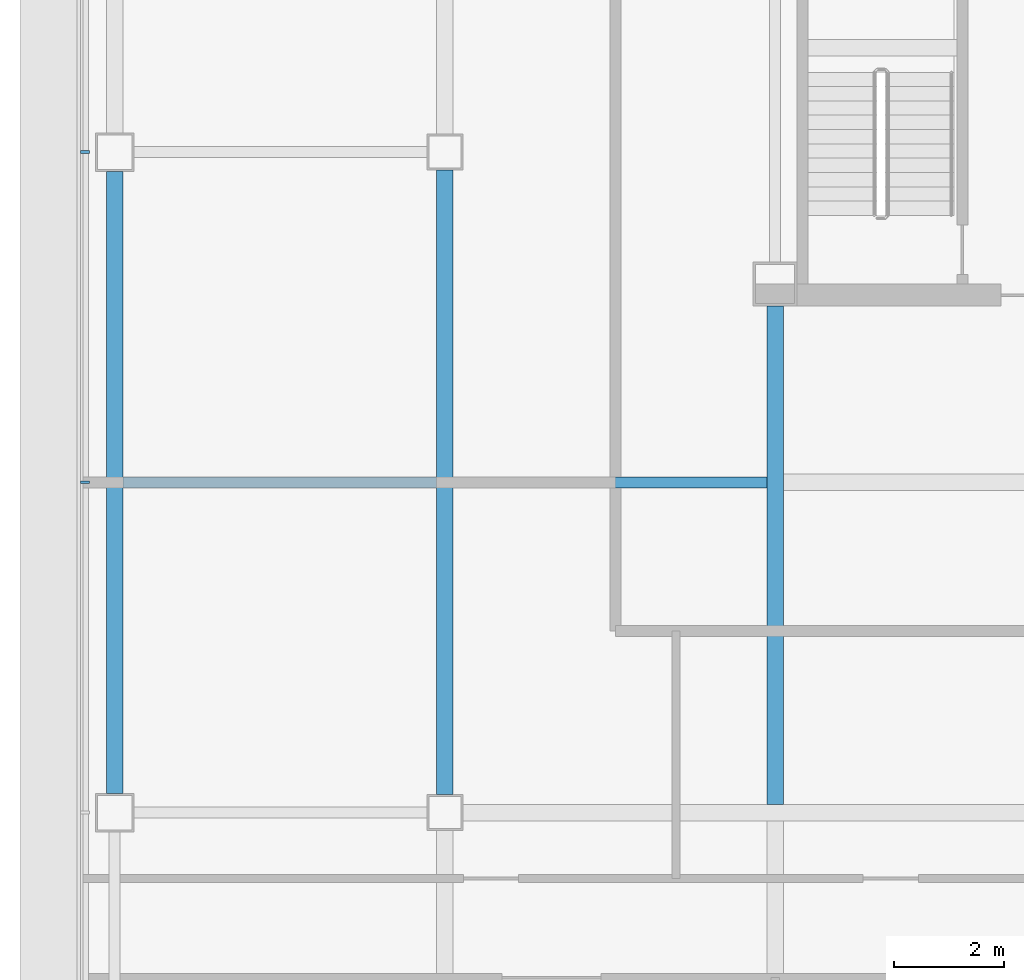
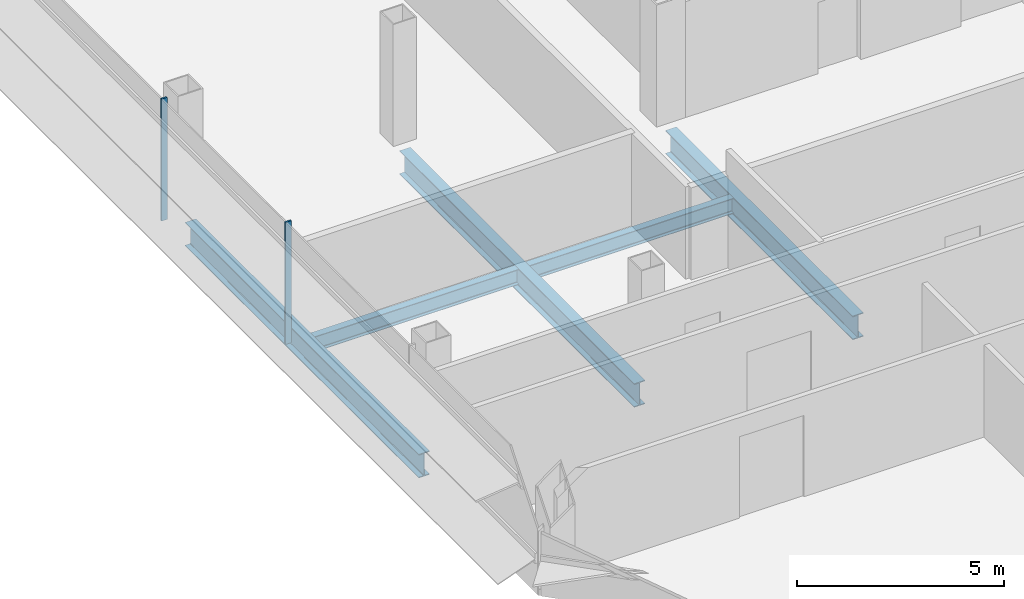
# One storey, part 4 of 24: 5 beams, 2 members, 1 element without a shape of its own.
"""IFC4 building model written with IfcOpenShell, lengths in metres."""

from ifc_helpers import new_model, si_unit, direction, frame, origin, origin_2d, place, context, subcontext, project, spatial, rectangle, i_section, extrude, material, material_profile, profile_set, type_object, element, aggregate, save


model = new_model("IFC4")

# Units and contexts
model_context = context("Model", 3, precision=1e-05, world=origin(), true_north=direction((0.0, 1.0)))
body_context = subcontext(model_context, "Body", "Model", "MODEL_VIEW")
ifc_project = project(units=[si_unit("LENGTHUNIT", "METRE"), si_unit("AREAUNIT", "SQUARE_METRE"), si_unit("VOLUMEUNIT", "CUBIC_METRE"), si_unit("PLANEANGLEUNIT", "RADIAN"), si_unit("MASSUNIT", "GRAM", prefix="KILO")], contexts=[model_context])

# Site, building, storey
site_placement = place(None, origin())
site = spatial("IfcSite", under=ifc_project, at=site_placement, CompositionType="ELEMENT")
building_placement = place(site_placement, origin())
building = spatial("IfcBuilding", under=site, at=building_placement, Name="Sorahane Residences", CompositionType="ELEMENT")
storey_placement = place(building_placement, frame((0.0, 0.0, 170.800048828125)))
storey = spatial("IfcBuildingStorey", under=building, at=storey_placement, Name="L39", CompositionType="ELEMENT", Elevation=170.800048828125)

# Curtain wall, members
ifc_material_1 = material(Name="Dark low-e glass and black anodised aluminium", Category="aluminium")
curtain_wall_type = type_object("IfcCurtainWallType", Name="Curtain wall CW-1 Typical unitised wall", PredefinedType="NOTDEFINED", material=ifc_material_1)
curtain_wall_placement = place(storey_placement, origin())
curtain_wall = element("IfcCurtainWall", 1, at=curtain_wall_placement, inside=storey, type_object=curtain_wall_type, Name="CW-1 curtain wall L39 W1", PredefinedType="NOTDEFINED")
ifc_material_2 = material(Name="Black anodised aluminium", Category="aluminium")
ifc_material_profile_1 = material_profile(ifc_material_2, rectangle(XDim=0.159912109375, YDim=0.050048828125, at=origin_2d()), Name="Curtain wall mullion CW-1 black anodised aluminium 50x160")
ifc_profile_set_1 = profile_set([ifc_material_profile_1], Name="Black anodised aluminium")
member_type = type_object("IfcMemberType", Name="Curtain wall mullion CW-1 black anodised aluminium 50x160", PredefinedType="MULLION", material=ifc_profile_set_1)
member_1_placement = place(storey_placement, frame((-6.5400390625, 24.0, -0.179931640625), z_axis=(0.0, 0.0, 1.0), x_axis=(-1.0, 0.0, 0.0)))
member_1 = element("IfcMember", 2, at=member_1_placement, type_object=member_type, Name="CW-1 mullion L39 W1.4", PredefinedType="MULLION", context=body_context, shape_type="SweptSolid", body=[
    extrude(rectangle(XDim=0.159912109375, YDim=0.050048828125, at=origin_2d()), origin(), (0.0, 0.0, 1.0), 3.599853515625),
])
member_2_placement = place(storey_placement, frame((-6.5400390625, 18.0, -0.179931640625), z_axis=(0.0, 0.0, 1.0), x_axis=(-1.0, 0.0, 0.0)))
member_2 = element("IfcMember", 3, at=member_2_placement, type_object=member_type, Name="CW-1 mullion L39 W1.5", PredefinedType="MULLION", context=body_context, shape_type="SweptSolid", body=[
    extrude(rectangle(XDim=0.159912109375, YDim=0.050048828125, at=origin_2d()), origin(), (0.0, 0.0, 1.0), 3.599853515625),
])
aggregate(curtain_wall, [member_1, member_2])

# Beams
ifc_material_3 = material(Name="Steel Q355B", Category="steel")
ifc_material_profile_2 = material_profile(ifc_material_3, i_section(OverallWidth=0.199951171875, OverallDepth=0.449951171875, WebThickness=0.009033203125, FlangeThickness=0.013916015625, FilletRadius=0.02001953125, at=origin_2d()), Name="HN 450x200x9x14")
ifc_profile_set_2 = profile_set([ifc_material_profile_2], Name="Steel Q355B")
beam_type_1 = type_object("IfcBeamType", Name="Steel floor beam HN 450x200x9x14 Q355B", PredefinedType="BEAM", material=ifc_profile_set_2)
for number, where, z_axis, x_axis, name in (
    (4, (-5.85009765625, 18.0, -0.405029296875), (1.0, 0.0, 0.0), (0.0, 1.0, 0.0), "Beam L39 078"),
    (5, (0.14990234375, 18.0, -0.405029296875), (1.0, 0.0, 0.0), (0.0, 1.0, 0.0), "Beam L39 079"),
):
    element("IfcBeam", number, at=place(storey_placement, frame(where, z_axis=z_axis, x_axis=x_axis)), inside=storey, type_object=beam_type_1, Name=name, PredefinedType="BEAM", context=body_context, shape_type="SweptSolid", body=[
        extrude(i_section(OverallWidth=0.199951171875, OverallDepth=0.449951171875, WebThickness=0.009033203125, FlangeThickness=0.013916015625, FilletRadius=0.02001953125, at=origin_2d()), origin(), (0.0, 0.0, 1.0), 5.7001953125),
    ])
ifc_material_4 = material(Name="Steel Q355B", Category="steel")
ifc_material_profile_3 = material_profile(ifc_material_4, i_section(OverallWidth=0.300048828125, OverallDepth=0.699951171875, WebThickness=0.012939453125, FlangeThickness=0.02392578125, FilletRadius=0.028076171875, at=origin_2d()), Name="HN 700x300x13x24")
ifc_profile_set_3 = profile_set([ifc_material_profile_3], Name="Steel Q355B")
beam_type_2 = type_object("IfcBeamType", Name="Steel floor beam HN 700x300x13x24 Q355B", PredefinedType="BEAM", material=ifc_profile_set_3)
beam_1_placement = place(storey_placement, frame((-6.0, 12.35009765625, -0.530029296875), z_axis=(0.0, 1.0, 0.0), x_axis=(-1.0, 0.0, 0.0)))
element("IfcBeam", 6, at=beam_1_placement, inside=storey, type_object=beam_type_2, Name="Beam L39 021", PredefinedType="BEAM", context=body_context, shape_type="SweptSolid", body=[
    extrude(i_section(OverallWidth=0.300048828125, OverallDepth=0.699951171875, WebThickness=0.012939453125, FlangeThickness=0.02392578125, FilletRadius=0.028076171875, at=origin_2d()), origin(), (0.0, 0.0, 1.0), 11.2998046875),
])
beam_2_placement = place(storey_placement, frame((0.0, 12.324951171875, -0.530029296875), z_axis=(0.0, 1.0, 0.0), x_axis=(-1.0, 0.0, 0.0)))
element("IfcBeam", 7, at=beam_2_placement, inside=storey, type_object=beam_type_2, Name="Beam L39 025", PredefinedType="BEAM", context=body_context, shape_type="SweptSolid", body=[
    extrude(i_section(OverallWidth=0.300048828125, OverallDepth=0.699951171875, WebThickness=0.012939453125, FlangeThickness=0.02392578125, FilletRadius=0.028076171875, at=origin_2d()), origin(), (0.0, 0.0, 1.0), 11.35009765625),
])
beam_3_placement = place(storey_placement, frame((6.0, 12.14990234375, -0.530029296875), z_axis=(0.0, 1.0, 0.0), x_axis=(-1.0, 0.0, 0.0)))
element("IfcBeam", 8, at=beam_3_placement, inside=storey, type_object=beam_type_2, Name="Beam L39 029", PredefinedType="BEAM", context=body_context, shape_type="SweptSolid", body=[
    extrude(i_section(OverallWidth=0.300048828125, OverallDepth=0.699951171875, WebThickness=0.012939453125, FlangeThickness=0.02392578125, FilletRadius=0.028076171875, at=origin_2d()), origin(), (0.0, 0.0, 1.0), 9.050048828125),
])

save(model, "model.ifc")
